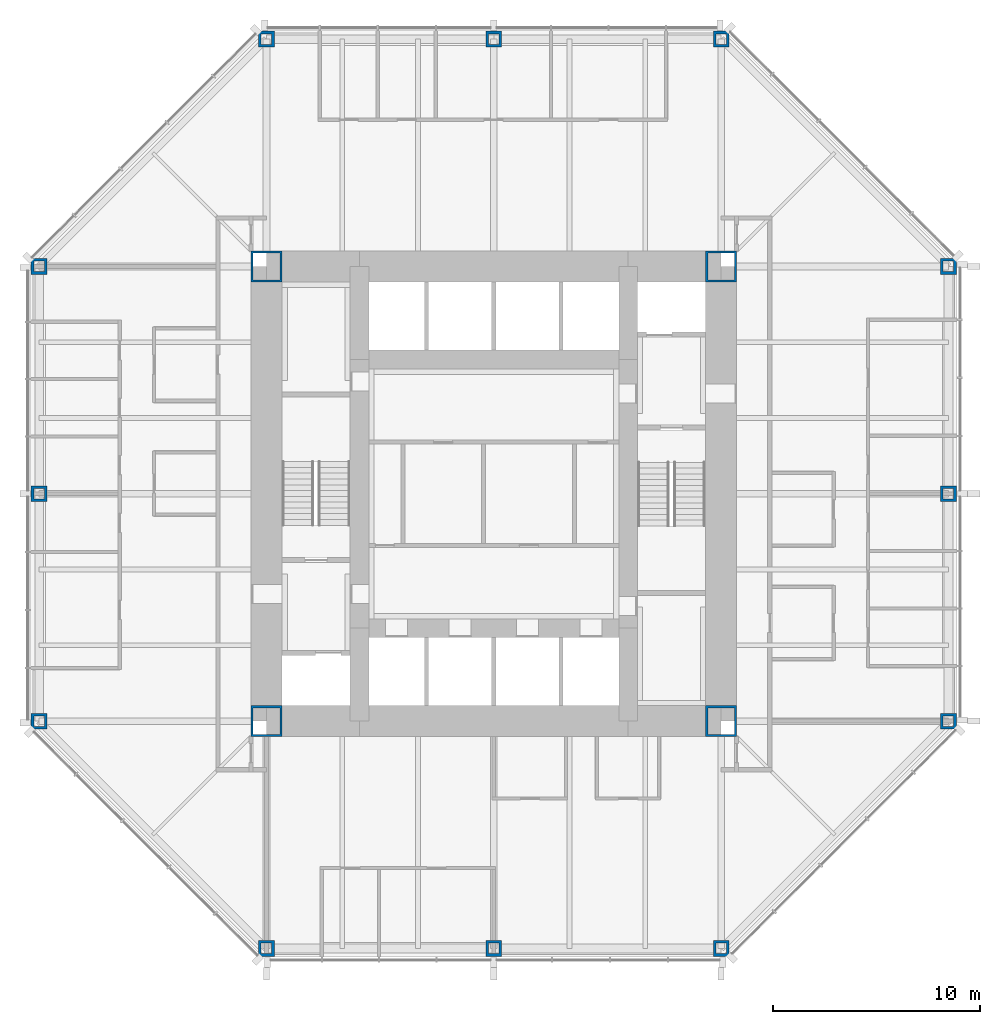
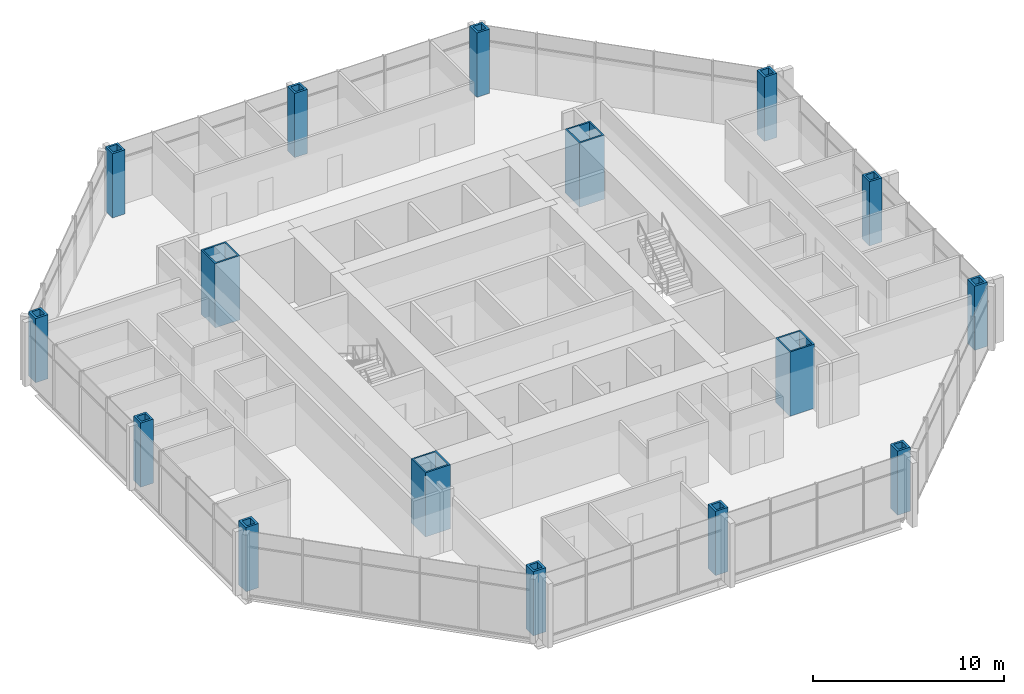
# One storey, part 1 of 12: 16 columns.
"""IFC4 building model written with IfcOpenShell, lengths in metres."""

from ifc_helpers import new_model, si_unit, direction, frame, origin, origin_2d, place, context, subcontext, project, spatial, hollow_rectangle, extrude, material, material_profile, profile_set, type_object, element, save


model = new_model("IFC4")

# Units and contexts
model_context = context("Model", 3, precision=1e-05, world=origin(), true_north=direction((0.0, 1.0)))
body_context = subcontext(model_context, "Body", "Model", "MODEL_VIEW")
ifc_project = project(units=[si_unit("LENGTHUNIT", "METRE"), si_unit("AREAUNIT", "SQUARE_METRE"), si_unit("VOLUMEUNIT", "CUBIC_METRE"), si_unit("PLANEANGLEUNIT", "RADIAN"), si_unit("MASSUNIT", "GRAM", prefix="KILO")], contexts=[model_context])

# Site, building, storey
site_placement = place(None, origin())
site = spatial("IfcSite", under=ifc_project, at=site_placement, CompositionType="ELEMENT")
building_placement = place(site_placement, origin())
building = spatial("IfcBuilding", under=site, at=building_placement, Name="Trevanion Tower", CompositionType="ELEMENT")
storey_placement = place(building_placement, frame((0.0, 0.0, 113.10009765625)))
storey = spatial("IfcBuildingStorey", under=building, at=storey_placement, Name="L26", CompositionType="ELEMENT", Elevation=113.10009765625)

# Columns
ifc_material_1 = material(Name="Steel ASTM A588 Grade 50", Category="steel")
ifc_material_profile_1 = material_profile(ifc_material_1, hollow_rectangle(XDim=0.761962890625, YDim=0.761962890625, WallThickness=0.126953125, at=origin_2d()), Name="BOX30X30X5")
ifc_profile_set_1 = profile_set([ifc_material_profile_1], Name="Steel ASTM A588 Grade 50")
column_type_1 = type_object("IfcColumnType", Name="C4 BOX30X30X5", PredefinedType="COLUMN", material=ifc_profile_set_1)
for number, where, z_axis, x_axis, name in (
    (1, (-22.0, 0.0, 0.0), (0.0, 0.0, 1.0), (0.0, 1.0, 0.0), "C4 4/H L26"),
    (2, (-22.0, -11.0, 0.0), (0.0, 0.0, 1.0), (0.0, 1.0, 0.0), "C4 4/F L26"),
    (3, (-11.0, -22.0, 0.0), (0.0, 0.0, 1.0), (1.0, 0.0, 0.0), "C4 8/B L26"),
    (4, (0.0, -22.0, 0.0), (0.0, 0.0, 1.0), (1.0, 0.0, 0.0), "C4 10/B L26"),
    (5, (11.0, -22.0, 0.0), (0.0, 0.0, 1.0), (1.0, 0.0, 0.0), "C4 12/B L26"),
    (6, (22.0, -11.0, 0.0), (0.0, 0.0, 1.0), (0.0, 1.0, 0.0), "C4 16/F L26"),
    (7, (22.0, 0.0, 0.0), (0.0, 0.0, 1.0), (0.0, 1.0, 0.0), "C4 16/H L26"),
    (8, (22.0, 11.0, 0.0), (0.0, 0.0, 1.0), (0.0, 1.0, 0.0), "C4 16/K L26"),
    (9, (11.0, 22.0, 0.0), (0.0, 0.0, 1.0), (1.0, 0.0, 0.0), "C4 12/P L26"),
    (10, (0.0, 22.0, 0.0), (0.0, 0.0, 1.0), (1.0, 0.0, 0.0), "C4 10/P L26"),
    (11, (-11.0, 22.0, 0.0), (0.0, 0.0, 1.0), (1.0, 0.0, 0.0), "C4 8/P L26"),
    (12, (-22.0, 11.0, 0.0), (0.0, 0.0, 1.0), (0.0, 1.0, 0.0), "C4 4/K L26"),
):
    element("IfcColumn", number, at=place(storey_placement, frame(where, z_axis=z_axis, x_axis=x_axis)), inside=storey, type_object=column_type_1, Name=name, PredefinedType="COLUMN", context=body_context, shape_type="SweptSolid", body=[
        extrude(hollow_rectangle(XDim=0.761962890625, YDim=0.761962890625, WallThickness=0.126953125, at=origin_2d()), origin(), (0.0, 0.0, 1.0), 4.099853515625),
    ])
ifc_material_2 = material(Name="Steel ASTM A572 Grade 50", Category="steel")
ifc_material_profile_2 = material_profile(ifc_material_2, hollow_rectangle(XDim=1.49853515625, YDim=1.49853515625, WallThickness=0.1015625, at=origin_2d()), Name="BOX59X59X4")
ifc_profile_set_2 = profile_set([ifc_material_profile_2], Name="Steel ASTM A572 Grade 50")
column_type_2 = type_object("IfcColumnType", Name="CB1 BOX59X59X4", PredefinedType="COLUMN", material=ifc_profile_set_2)
for number, where, z_axis, x_axis, name in (
    (13, (11.0, 11.0, 0.0), (0.0, 0.0, 1.0), (1.0, 0.0, 0.0), "CB1 NE L26"),
    (14, (-11.0, 11.0, 0.0), (0.0, 0.0, 1.0), (1.0, 0.0, 0.0), "CB1 NW L26"),
    (15, (-11.0, -11.0, 0.0), (0.0, 0.0, 1.0), (1.0, 0.0, 0.0), "CB1 SW L26"),
    (16, (11.0, -11.0, 0.0), (0.0, 0.0, 1.0), (1.0, 0.0, 0.0), "CB1 SE L26"),
):
    element("IfcColumn", number, at=place(storey_placement, frame(where, z_axis=z_axis, x_axis=x_axis)), inside=storey, type_object=column_type_2, Name=name, PredefinedType="COLUMN", context=body_context, shape_type="SweptSolid", body=[
        extrude(hollow_rectangle(XDim=1.49853515625, YDim=1.49853515625, WallThickness=0.1015625, at=origin_2d()), origin(), (0.0, 0.0, 1.0), 4.099853515625),
    ])

save(model, "model.ifc")
